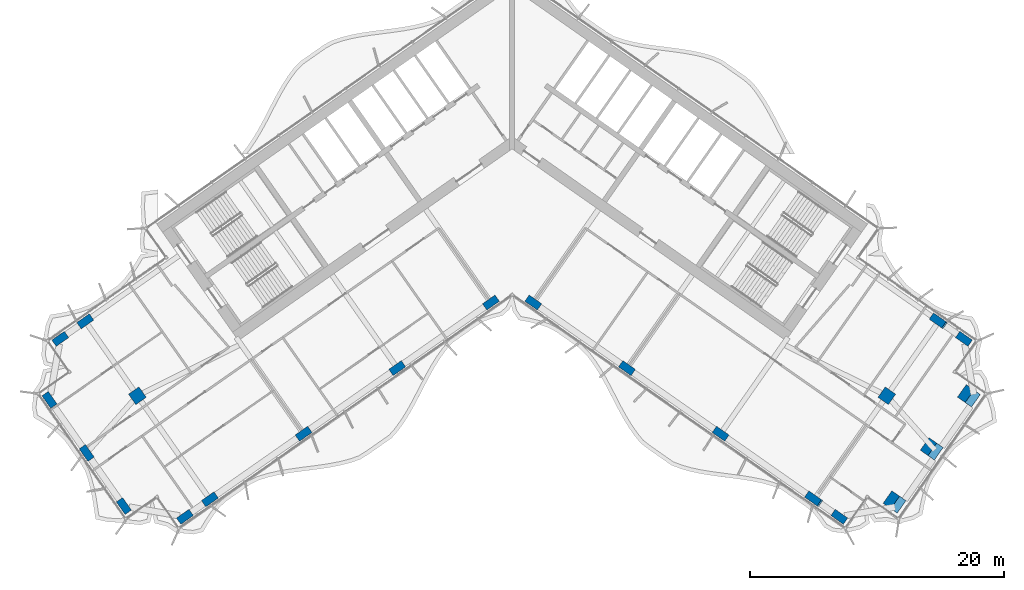
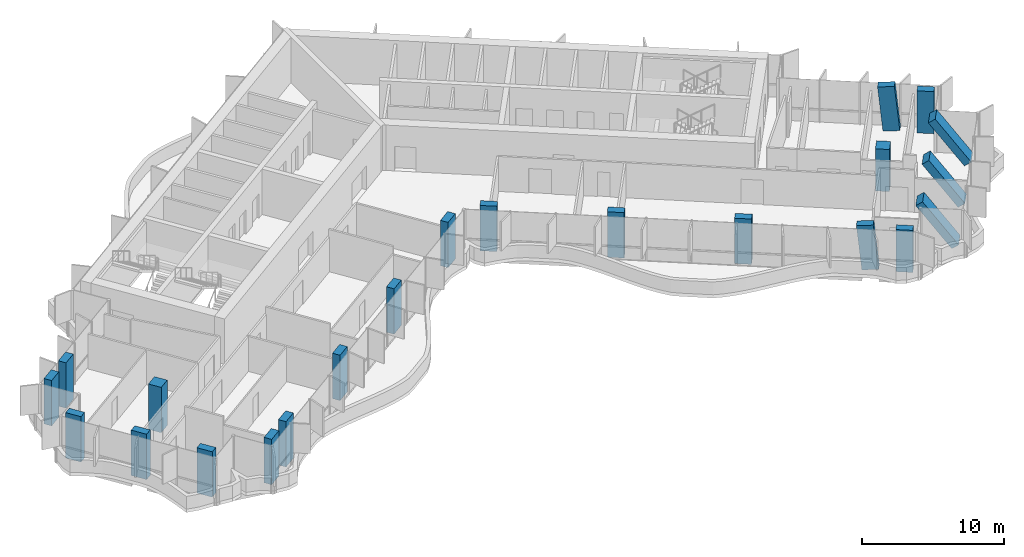
# One storey, part 1 of 23: 22 columns.
"""IFC4 building model written with IfcOpenShell, lengths in metres."""

from ifc_helpers import new_model, si_unit, direction, frame, origin, origin_2d, place, context, subcontext, project, spatial, rectangle, extrude, clip, halfspace, material, material_profile, profile_set, type_object, element, save


model = new_model("IFC4")

# Units and contexts
model_context = context("Model", 3, precision=1e-05, world=origin(), true_north=direction((0.0, 1.0)))
body_context = subcontext(model_context, "Body", "Model", "MODEL_VIEW")
ifc_project = project(units=[si_unit("LENGTHUNIT", "METRE"), si_unit("AREAUNIT", "SQUARE_METRE"), si_unit("VOLUMEUNIT", "CUBIC_METRE"), si_unit("PLANEANGLEUNIT", "RADIAN"), si_unit("MASSUNIT", "GRAM", prefix="KILO")], contexts=[model_context])

# Site, building, storey
site_placement = place(None, origin())
site = spatial("IfcSite", under=ifc_project, at=site_placement, CompositionType="ELEMENT")
building_placement = place(site_placement, origin())
building = spatial("IfcBuilding", under=site, at=building_placement, Name="Tel Ilan Convention Tower", CompositionType="ELEMENT")
storey_placement = place(building_placement, frame((0.0, 0.0, 186.60009765625)))
storey = spatial("IfcBuildingStorey", under=building, at=storey_placement, Name="L43", CompositionType="ELEMENT", Elevation=186.60009765625)

# Columns
ifc_material_1 = material(Name="Concrete C50/60", Category="concrete")
ifc_material_profile_1 = material_profile(ifc_material_1, rectangle(XDim=1.0, YDim=1.0, at=origin_2d()), Name="RC 1000x1000")
ifc_profile_set_1 = profile_set([ifc_material_profile_1], Name="Concrete C50/60")
column_type_1 = type_object("IfcColumnType", Name="Column RC 1000x1000 C50/60", PredefinedType="COLUMN", material=ifc_profile_set_1)
column_1_placement = place(storey_placement, frame((-29.489501953125, -20.648681640625, 0.0), z_axis=(0.0, 0.0, 1.0), x_axis=(-0.819152044289, -0.573576436351, 0.0)))
element("IfcColumn", 1, at=column_1_placement, inside=storey, type_object=column_type_1, Name="L43 column W-M4", PredefinedType="COLUMN", context=body_context, shape_type="SweptSolid", body=[
    extrude(rectangle(XDim=1.0, YDim=1.0, at=origin_2d()), origin(), (0.0, 0.0, 1.0), 3.89990234375),
])
column_2_placement = place(storey_placement, frame((29.489501953125, -20.648681640625, 0.0), z_axis=(0.0, 0.0, 1.0), x_axis=(0.819152044289, -0.573576436351, 0.0)))
element("IfcColumn", 2, at=column_2_placement, inside=storey, type_object=column_type_1, Name="L43 column E-M4", PredefinedType="COLUMN", context=body_context, shape_type="SweptSolid", body=[
    extrude(rectangle(XDim=1.0, YDim=1.0, at=origin_2d()), origin(), (0.0, 0.0, 1.0), 3.619873046875),
])
ifc_material_2 = material(Name="Concrete C50/60", Category="concrete")
ifc_material_profile_2 = material_profile(ifc_material_2, rectangle(XDim=1.199951171875, YDim=0.60009765625, at=origin_2d()), Name="RC 600x1200")
ifc_profile_set_2 = profile_set([ifc_material_profile_2], Name="Concrete C50/60")
column_type_2 = type_object("IfcColumnType", Name="Column RC 600x1200 C50/60", PredefinedType="COLUMN", material=ifc_profile_set_2)
for number, where, z_axis, x_axis, name in (
    (3, (-1.665283203125, -13.312744140625, 0.0), (0.0, 0.0, 1.0), (-0.819152044289, -0.573576436351, 0.0), "L43 column W-F1"),
    (4, (-9.03759765625, -18.474853515625, 0.0), (0.0, 0.0, 1.0), (-0.819152044289, -0.573576436351, 0.0), "L43 column W-F2"),
    (5, (-16.409912109375, -23.63720703125, 0.0), (0.0, 0.0, 1.0), (-0.819152044289, -0.573576436351, 0.0), "L43 column W-F3"),
    (6, (-23.782470703125, -28.79931640625, 0.0), (0.0, 0.0, 1.0), (-0.819152044289, -0.573576436351, 0.0), "L43 column W-F4"),
    (7, (-25.748291015625, -30.17578125, 0.0), (0.0, 0.0, 1.0), (-0.819152044289, -0.573576436351, 0.0), "L43 column W-FC"),
    (8, (-33.590576171875, -14.791748046875, 0.0), (0.0, 0.0, 1.0), (-0.819152044289, -0.573576436351, 0.0), "L43 column W-B4"),
    (9, (-35.556396484375, -16.16845703125, 0.0), (0.0, 0.0, 1.0), (-0.819152044289, -0.573576436351, 0.0), "L43 column W-BC"),
    (10, (-30.55322265625, -29.32861328125, 0.0), (0.0, 0.0, 1.0), (-0.573576436351, 0.819152044289, 0.0), "L43 column W-E1"),
    (11, (-33.478515625, -25.15087890625, 0.0), (0.0, 0.0, 1.0), (-0.573576436351, 0.819152044289, 0.0), "L43 column W-E2"),
    (12, (-36.40380859375, -20.973388671875, 0.0), (0.0, 0.0, 1.0), (-0.573576436351, 0.819152044289, 0.0), "L43 column W-E3"),
    (13, (1.665283203125, -13.312744140625, 0.0), (0.0, 0.0, 1.0), (0.819152044289, -0.573576436351, 0.0), "L43 column E-F1"),
    (14, (9.03759765625, -18.474853515625, 0.0), (0.0, 0.0, 1.0), (0.819152044289, -0.573576436351, 0.0), "L43 column E-F2"),
    (15, (16.409912109375, -23.63720703125, 0.0), (0.0, 0.0, 1.0), (0.819152044289, -0.573576436351, 0.0), "L43 column E-F3"),
):
    element("IfcColumn", number, at=place(storey_placement, frame(where, z_axis=z_axis, x_axis=x_axis)), inside=storey, type_object=column_type_2, Name=name, PredefinedType="COLUMN", context=body_context, shape_type="SweptSolid", body=[
        extrude(rectangle(XDim=1.199951171875, YDim=0.60009765625, at=origin_2d()), origin(), (0.0, 0.0, 1.0), 3.89990234375),
    ])
column_3_placement = place(storey_placement, frame((23.7822265625, -28.79931640625, -0.000244140625), z_axis=(-0.083515095002, 0.058505570787, 0.99478757888), x_axis=(0.814755419354, -0.570767845737, 0.101968980118)))
element("IfcColumn", 16, at=column_3_placement, inside=storey, type_object=column_type_2, Name="L43 column E-F4", PredefinedType="COLUMN", context=body_context, shape_type="Clipping", body=[
    clip(clip(extrude(rectangle(XDim=1.199951171875, YDim=0.60009765625, at=origin_2d()), origin(), (0.0, 0.0, 1.0), 3.92041015625), halfspace(frame((0.0, 0.0, 0.0615234375), z_axis=(0.0, 0.0, 1.0), x_axis=(1.0, 0.0, 0.0)), True)), halfspace(frame((0.0, 0.0, 3.85888671875), z_axis=(0.0, 0.0, 1.0), x_axis=(1.0, 0.0, 0.0)), False)),
])
column_4_placement = place(storey_placement, frame((25.748291015625, -30.17578125, 0.0), z_axis=(0.0, 0.0, 1.0), x_axis=(0.819152044289, -0.573576436351, 0.0)))
element("IfcColumn", 17, at=column_4_placement, inside=storey, type_object=column_type_2, Name="L43 column E-FC", PredefinedType="COLUMN", context=body_context, shape_type="SweptSolid", body=[
    extrude(rectangle(XDim=1.199951171875, YDim=0.60009765625, at=origin_2d()), origin(), (0.0, 0.0, 1.0), 3.619873046875),
])
column_5_placement = place(storey_placement, frame((33.590576171875, -14.791748046875, -0.000244140625), z_axis=(-0.083578937903, 0.058505256532, 0.994782235515), x_axis=(0.8149573613, -0.57047015291, 0.102021095381)))
element("IfcColumn", 18, at=column_5_placement, inside=storey, type_object=column_type_2, Name="L43 column E-B4", PredefinedType="COLUMN", context=body_context, shape_type="Clipping", body=[
    clip(clip(extrude(rectangle(XDim=1.199951171875, YDim=0.60009765625, at=origin_2d()), origin(), (0.0, 0.0, 1.0), 3.92041015625), halfspace(frame((0.0, 0.0, 0.0615234375), z_axis=(0.0, 0.0, 1.0), x_axis=(1.0, 0.0, 0.0)), True)), halfspace(frame((0.0, 0.0, 3.85888671875), z_axis=(0.0, 0.0, 1.0), x_axis=(1.0, 0.0, 0.0)), False)),
])
column_6_placement = place(storey_placement, frame((35.556396484375, -16.16845703125, 0.0), z_axis=(0.0, 0.0, 1.0), x_axis=(0.819152044289, -0.573576436351, 0.0)))
element("IfcColumn", 19, at=column_6_placement, inside=storey, type_object=column_type_2, Name="L43 column E-BC", PredefinedType="COLUMN", context=body_context, shape_type="SweptSolid", body=[
    extrude(rectangle(XDim=1.199951171875, YDim=0.60009765625, at=origin_2d()), origin(), (0.0, 0.0, 1.0), 3.619873046875),
])
column_7_placement = place(storey_placement, frame((30.553466796875, -29.32861328125, -0.000244140625), z_axis=(-0.477747821975, 0.334512857575, 0.812316543421), x_axis=(0.573565197047, 0.819159914019, 0.0)))
element("IfcColumn", 20, at=column_7_placement, inside=storey, type_object=column_type_2, Name="L43 column E-E1", PredefinedType="COLUMN", context=body_context, shape_type="Clipping", body=[
    clip(clip(extrude(rectangle(XDim=1.199951171875, YDim=0.60009765625, at=origin_2d()), origin(), (0.0, 0.0, 1.0), 4.801025390625), halfspace(frame((0.0, 0.0, 0.21533203125), z_axis=(0.0, 0.0, 1.0), x_axis=(1.0, 0.0, 0.0)), True)), halfspace(frame((0.0, 0.0, 4.585693359375), z_axis=(0.0, 0.0, 1.0), x_axis=(1.0, 0.0, 0.0)), False)),
])
column_8_placement = place(storey_placement, frame((33.478271484375, -25.15087890625, -0.000244140625), z_axis=(-0.477704706914, 0.334521785172, 0.812338222809), x_axis=(0.573610203854, 0.819128398991, 0.0)))
element("IfcColumn", 21, at=column_8_placement, inside=storey, type_object=column_type_2, Name="L43 column E-E2", PredefinedType="COLUMN", context=body_context, shape_type="Clipping", body=[
    clip(clip(extrude(rectangle(XDim=1.199951171875, YDim=0.60009765625, at=origin_2d()), origin(), (0.0, 0.0, 1.0), 4.801025390625), halfspace(frame((0.0, 0.0, 0.21533203125), z_axis=(0.0, 0.0, 1.0), x_axis=(1.0, 0.0, 0.0)), True)), halfspace(frame((0.0, 0.0, 4.58544921875), z_axis=(0.0, 0.0, 1.0), x_axis=(1.0, 0.0, 0.0)), False)),
])
column_9_placement = place(storey_placement, frame((36.403564453125, -20.973388671875, -0.000244140625), z_axis=(-0.477738893719, 0.334562468952, 0.812301362671), x_axis=(0.573629466203, 0.819114909829, 0.0)))
element("IfcColumn", 22, at=column_9_placement, inside=storey, type_object=column_type_2, Name="L43 column E-E3", PredefinedType="COLUMN", context=body_context, shape_type="Clipping", body=[
    clip(clip(extrude(rectangle(XDim=1.199951171875, YDim=0.60009765625, at=origin_2d()), origin(), (0.0, 0.0, 1.0), 4.80126953125), halfspace(frame((0.0, 0.0, 0.21533203125), z_axis=(0.0, 0.0, 1.0), x_axis=(1.0, 0.0, 0.0)), True)), halfspace(frame((0.0, 0.0, 4.585693359375), z_axis=(0.0, 0.0, 1.0), x_axis=(1.0, 0.0, 0.0)), False)),
])

save(model, "model.ifc")
